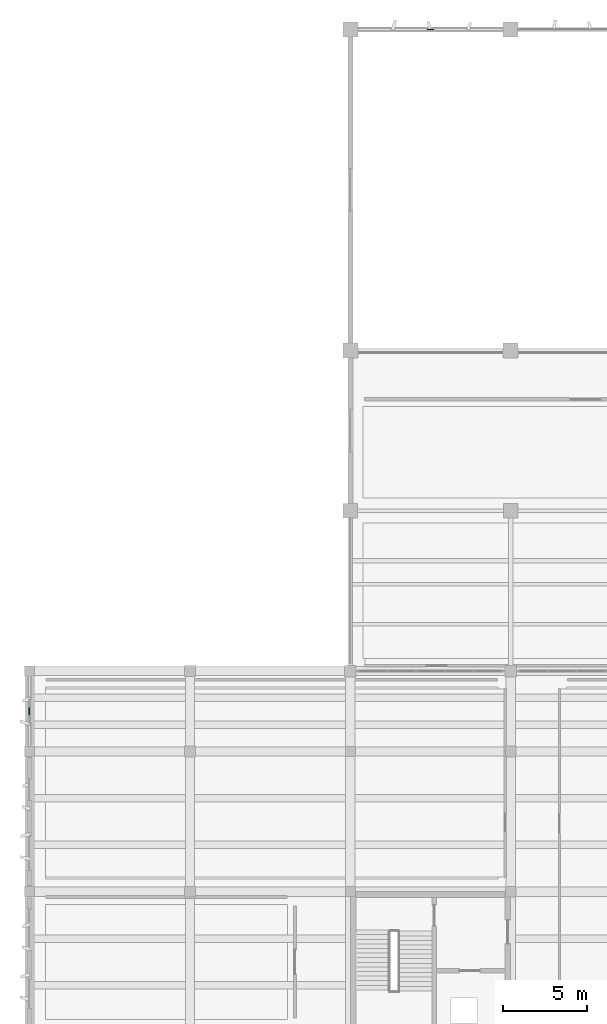
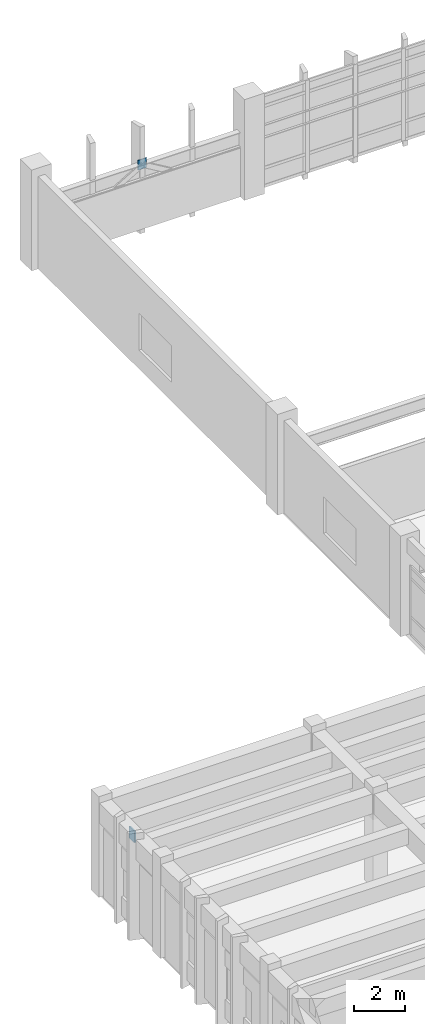
# One storey, part 60 of 86: 2 plates.
"""IFC4 building model written with IfcOpenShell, lengths in metres."""

from ifc_helpers import new_model, si_unit, direction, frame, origin, origin_2d, place, context, subcontext, project, spatial, rectangle, extrude, material, layer, layer_set, type_object, element, save


model = new_model("IFC4")

# Units and contexts
model_context = context("Model", 3, precision=1e-05, world=origin(), true_north=direction((0.0, 1.0)))
body_context = subcontext(model_context, "Body", "Model", "MODEL_VIEW")
ifc_project = project(units=[si_unit("LENGTHUNIT", "METRE"), si_unit("AREAUNIT", "SQUARE_METRE"), si_unit("VOLUMEUNIT", "CUBIC_METRE"), si_unit("PLANEANGLEUNIT", "RADIAN"), si_unit("MASSUNIT", "GRAM", prefix="KILO")], contexts=[model_context])

# Site, building, storey
site_placement = place(None, origin())
site = spatial("IfcSite", under=ifc_project, at=site_placement, CompositionType="ELEMENT")
building_placement = place(site_placement, origin())
building = spatial("IfcBuilding", under=site, at=building_placement, Name="Kolvemor Railside Polytechnic", CompositionType="ELEMENT")
storey_placement = place(building_placement, frame((0.0, 0.0, 5.39990234375)))
storey = spatial("IfcBuildingStorey", under=building, at=storey_placement, Name="L01", CompositionType="ELEMENT", Elevation=5.39990234375)

# Plates
ifc_material_1 = material(Name="Steel S355", Category="steel")
ifc_layer_1 = layer(ifc_material_1, 0.0380859375, Name="PLT-GUSSET-3")
ifc_layer_set_1 = layer_set([ifc_layer_1], Name="Steel S355")
plate_type_1 = type_object("IfcPlateType", Name="PLT-GUSSET-3", PredefinedType="USERDEFINED", material=ifc_layer_set_1)
plate_1_placement = place(storey_placement, frame((24.0, 120.0, 2.762939453125), z_axis=(0.0, 0.0, 1.0), x_axis=(1.0, 0.0, 0.0)))
element("IfcPlate", 1, at=plate_1_placement, inside=storey, type_object=plate_type_1, Name="Brace Chevron Gusset Plate GP-BR03", ObjectType="GUSSET PLATE", PredefinedType="USERDEFINED", context=body_context, shape_type="SweptSolid", body=[
    extrude(rectangle(XDim=0.385009765625, YDim=0.0380859375, at=origin_2d()), origin(), (0.0, 0.0, 1.0), 0.47412109375),
])
ifc_material_2 = material(Name="Steel S355", Category="steel")
ifc_layer_2 = layer(ifc_material_2, 0.068115234375, Name="PLT-GUSSET-6")
ifc_layer_set_2 = layer_set([ifc_layer_2], Name="Steel S355")
plate_type_2 = type_object("IfcPlateType", Name="PLT-GUSSET-6", PredefinedType="USERDEFINED", material=ifc_layer_set_2)
plate_2_placement = place(storey_placement, frame((0.0, 79.199951171875, 3.916015625), z_axis=(0.0, 0.0, 1.0), x_axis=(0.0, 1.0, 0.0)))
element("IfcPlate", 2, at=plate_2_placement, inside=storey, type_object=plate_type_2, Name="Brace Chevron Gusset Plate GP-BR06", ObjectType="GUSSET PLATE", PredefinedType="USERDEFINED", context=body_context, shape_type="SweptSolid", body=[
    extrude(rectangle(XDim=0.429931640625, YDim=0.068115234375, at=origin_2d()), origin(), (0.0, 0.0, 1.0), 0.528076171875),
])

save(model, "model.ifc")
